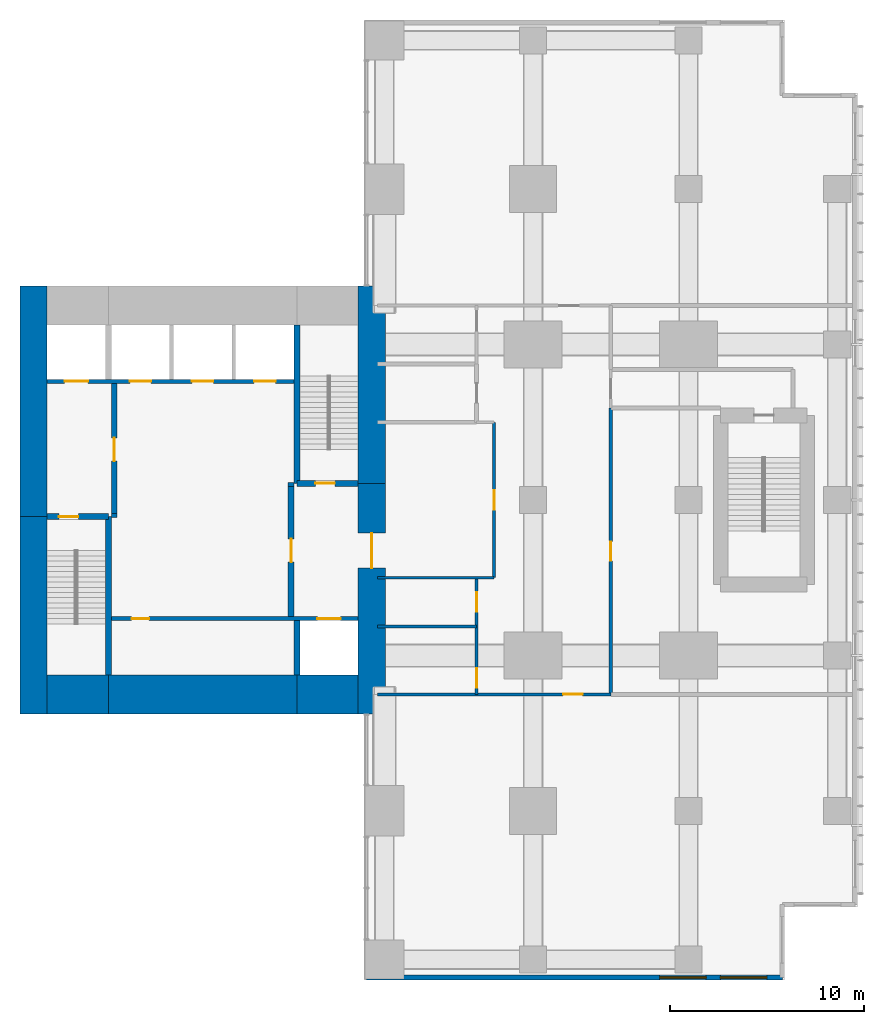
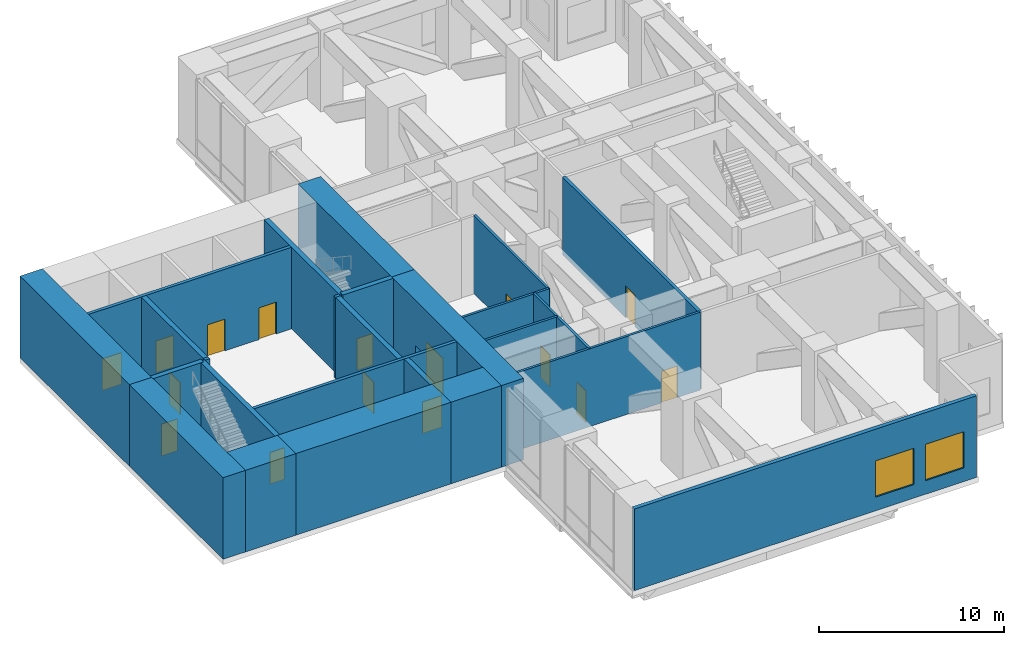
# One storey, part 7 of 10: 25 walls, 16 doors, 2 windows, 18 openings.
"""IFC4 building model written with IfcOpenShell, lengths in metres."""

import ifcopenshell
import ifcopenshell.guid

model = None  # the IFC model being written
_history = None  # IfcOwnerHistory: only IFC2X3 demands one
_inside = {}  # id of a spatial element -> (the spatial element, [elements in it])
_under = {}  # id of a project, library or spatial element -> (it, [spatial elements below it])
_declared = {}  # id of a project -> (the project, [libraries it declares])
_typed = {}  # id of a type object -> (the type object, [elements of that type])
_made_of = {}  # id of a material, layer set ... -> (it, [elements and type objects made of it])


def new_model(schema):
    """Start an empty IFC model of exactly this schema.

    Asked for "IFC4X3", IfcOpenShell would pick the latest addendum, in which some entities
    have other attributes; the version numbers below select the first issue.
    IFC2X3 requires an IfcOwnerHistory on every rooted entity: one is made here for all.
    """
    global model, _history
    if schema == "IFC4X3":
        model = ifcopenshell.file(schema_version=(4, 3, 0, 0))
    else:
        model = ifcopenshell.file(schema=schema)
    _inside.clear()
    _under.clear()
    _declared.clear()
    _typed.clear()
    _made_of.clear()
    _history = None
    if model.schema == "IFC2X3":
        org = make("IfcOrganization", Name="unknown")
        user = make(
            "IfcPersonAndOrganization",
            ThePerson=make("IfcPerson", FamilyName="unknown"),
            TheOrganization=org,
        )
        app = make(
            "IfcApplication",
            ApplicationDeveloper=org,
            Version="unknown",
            ApplicationFullName="unknown",
            ApplicationIdentifier="unknown",
        )
        _history = make(
            "IfcOwnerHistory",
            OwningUser=user,
            OwningApplication=app,
            ChangeAction="ADDED",
            CreationDate=0,
        )
    return model


def make(cls, **values):
    """One entity of the class cls with the attributes given. An attribute that is None is left unset."""
    return model.create_entity(
        cls, **{name: value for name, value in values.items() if value is not None}
    )


def rooted(cls, **values):
    """An entity with a GlobalId (a new one), such as an element, a storey or a relation."""
    return make(cls, GlobalId=ifcopenshell.guid.new(), OwnerHistory=_history, **values)


def si_unit(unit_type, name, prefix=None):
    """IfcSIUnit, for example si_unit("LENGTHUNIT", "METRE", prefix="MILLI")."""
    return make("IfcSIUnit", UnitType=unit_type, Prefix=prefix, Name=name)


def assignment(units):
    """IfcUnitAssignment: the units of a project."""
    return None if units is None else make("IfcUnitAssignment", Units=units)


def point(xyz):
    """IfcCartesianPoint."""
    return None if xyz is None else make("IfcCartesianPoint", Coordinates=xyz)


def direction(xyz):
    """IfcDirection."""
    return None if xyz is None else make("IfcDirection", DirectionRatios=xyz)


def frame(location, z_axis=None, x_axis=None):
    """IfcAxis2Placement3D, a coordinate frame: its origin and axes. An axis left out is left unset."""
    return make(
        "IfcAxis2Placement3D",
        Location=point(location),
        Axis=direction(z_axis),
        RefDirection=direction(x_axis),
    )


def frame_2d(location, x_axis=None):
    """IfcAxis2Placement2D, a coordinate frame in the plane: its origin and x axis."""
    return make(
        "IfcAxis2Placement2D", Location=point(location), RefDirection=direction(x_axis)
    )


def origin():
    """The frame at (0, 0, 0) with its axes left unset."""
    return frame((0.0, 0.0, 0.0))


def place(relative_to, where):
    """IfcLocalPlacement: puts the frame where relative to a parent placement (None: the world)."""
    return make(
        "IfcLocalPlacement", PlacementRelTo=relative_to, RelativePlacement=where
    )


def context(
    kind, dimensions, precision=None, world=None, true_north=None, identifier=None
):
    """IfcGeometricRepresentationContext, for example the 3D "Model" context."""
    return make(
        "IfcGeometricRepresentationContext",
        ContextIdentifier=identifier,
        ContextType=kind,
        CoordinateSpaceDimension=dimensions,
        Precision=precision,
        WorldCoordinateSystem=world,
        TrueNorth=true_north,
    )


def subcontext(parent, identifier, kind, view, scale=None):
    """IfcGeometricRepresentationSubContext, for example "Body" below "Model"."""
    return make(
        "IfcGeometricRepresentationSubContext",
        ContextIdentifier=identifier,
        ContextType=kind,
        ParentContext=parent,
        TargetScale=scale,
        TargetView=view,
    )


def project(units=None, contexts=None):
    """IfcProject with its units and contexts."""
    return rooted(
        "IfcProject",
        Name="project",
        RepresentationContexts=contexts,
        UnitsInContext=assignment(units),
    )


def spatial(cls, under=None, at=None, **own):
    """A site, building, storey or space (cls), placed at a placement, below another one or the project."""
    s = rooted(cls, ObjectPlacement=at, **own)
    if under is not None:
        _under.setdefault(under.id(), (under, []))[1].append(s)
    return s


def profile(cls, at=None, kind="AREA", **sizes):
    """A parametric profile (cls). Its sizes go by their IFC names, for example OverallWidth=200.0."""
    return make(cls, ProfileType=kind, Position=at, **sizes)


def rectangle(**sizes):
    """IfcRectangleProfileDef."""
    return profile("IfcRectangleProfileDef", **sizes)


def extrude(swept, where, along, depth):
    """IfcExtrudedAreaSolid: the profile swept, set in the frame where, extruded along a direction by depth."""
    return make(
        "IfcExtrudedAreaSolid",
        SweptArea=swept,
        Position=where,
        ExtrudedDirection=direction(along),
        Depth=depth,
    )


def shape(context_of_items, identifier, shape_type, items):
    """IfcShapeRepresentation: the items that make up one representation, for example the "Body"."""
    return make(
        "IfcShapeRepresentation",
        ContextOfItems=context_of_items,
        RepresentationIdentifier=identifier,
        RepresentationType=shape_type,
        Items=items,
    )


def material(Name=None, Category=None):
    """IfcMaterial."""
    return make("IfcMaterial", Name=Name, Category=Category)


def layer(
    of_material, thickness, ventilated=None, Name=None, Category=None, Priority=None
):
    """IfcMaterialLayer: one layer of a wall or slab, of a material (None: an air gap)."""
    return make(
        "IfcMaterialLayer",
        Material=of_material,
        LayerThickness=thickness,
        IsVentilated=ventilated,
        Name=Name,
        Category=Category,
        Priority=Priority,
    )


def layer_set(layers, Name=None):
    """IfcMaterialLayerSet."""
    return make("IfcMaterialLayerSet", MaterialLayers=layers, LayerSetName=Name)


def made_of(thing, what):
    """Note that an element or type object is made of a material, layer set ...; save() writes the relation."""
    if what is not None:
        _made_of.setdefault(what.id(), (what, []))[1].append(thing)
    return thing


def type_object(cls, material=None, **own):
    """A type object (cls), such as IfcWallType, which elements share."""
    return made_of(rooted(cls, **own), material)


def element(
    cls,
    number,
    at=None,
    inside=None,
    cuts=None,
    type_object=None,
    material=None,
    context=None,
    identifier="Body",
    shape_type=None,
    held_by="IfcProductDefinitionShape",
    body=None,
    shapes=None,
    **own,
):
    """One element of the class cls, such as IfcWall. Its Tag is "e" and its number.

    at: its placement. inside: the storey or other place that contains it. cuts: it is an
    opening in that element (IfcRelVoidsElement). A single representation is given by context,
    identifier, shape_type and body (its items); several are given by shapes. held_by: the class
    of the entity that holds the representations. save() writes the other relations.
    """
    e = rooted(cls, Tag="e%d" % number, ObjectPlacement=at, **own)
    if body is not None:
        shapes = [shape(context, identifier, shape_type, body)]
    if shapes is not None:
        e.Representation = make(held_by, Representations=shapes)
    if inside is not None:
        _inside.setdefault(inside.id(), (inside, []))[1].append(e)
    if cuts is not None:
        rooted(
            "IfcRelVoidsElement", RelatingBuildingElement=cuts, RelatedOpeningElement=e
        )
    if type_object is not None:
        _typed.setdefault(type_object.id(), (type_object, []))[1].append(e)
    return made_of(e, material)


def fill(opening, filler):
    """IfcRelFillsElement: the door or window that sits in an opening."""
    return rooted(
        "IfcRelFillsElement",
        RelatingOpeningElement=opening,
        RelatedBuildingElement=filler,
    )


def aggregate(whole, parts):
    """IfcRelAggregates: a whole, such as a stair, and the parts it consists of."""
    return rooted("IfcRelAggregates", RelatingObject=whole, RelatedObjects=parts)


def save(model, path):
    """Write the relations noted so far, then the file.

    IfcRelAggregates (storeys below a building ...), IfcRelContainedInSpatialStructure (elements
    in a storey), IfcRelDefinesByType, IfcRelAssociatesMaterial and IfcRelDeclares: one each for
    every whole, place, type object, material and project.
    """
    for whole, parts in _under.values():
        aggregate(whole, parts)
    for where, things in _inside.values():
        rooted(
            "IfcRelContainedInSpatialStructure",
            RelatedElements=things,
            RelatingStructure=where,
        )
    for kind, things in _typed.values():
        rooted("IfcRelDefinesByType", RelatedObjects=things, RelatingType=kind)
    for what, things in _made_of.values():
        rooted("IfcRelAssociatesMaterial", RelatedObjects=things, RelatingMaterial=what)
    for by, libraries in _declared.values():
        rooted("IfcRelDeclares", RelatingContext=by, RelatedDefinitions=libraries)
    model.write(path)


model = new_model("IFC4")

# Units and contexts
model_context = context("Model", 3, precision=1e-05, world=origin(), true_north=direction((0.0, 1.0)))
body_context = subcontext(model_context, "Body", "Model", "MODEL_VIEW")
ifc_project = project(units=[si_unit("LENGTHUNIT", "METRE"), si_unit("AREAUNIT", "SQUARE_METRE"), si_unit("VOLUMEUNIT", "CUBIC_METRE"), si_unit("PLANEANGLEUNIT", "RADIAN"), si_unit("MASSUNIT", "GRAM", prefix="KILO")], contexts=[model_context])

# Site, building, storey
site_placement = place(None, origin())
site = spatial("IfcSite", under=ifc_project, at=site_placement, CompositionType="ELEMENT")
building_placement = place(site_placement, origin())
building = spatial("IfcBuilding", under=site, at=building_placement, Name="Cleftline Residences", CompositionType="ELEMENT")
storey_placement = place(building_placement, frame((0.0, 0.0, 277.199951171875)))
storey = spatial("IfcBuildingStorey", under=building, at=storey_placement, Name="L73", CompositionType="ELEMENT", Elevation=277.199951171875)

# Walls
ifc_material_1 = material(Name="Concrete B70", Category="concrete")
ifc_layer_1 = layer(ifc_material_1, 1.39990234375)
ifc_layer_set_1 = layer_set([ifc_layer_1], Name="CORE WALL 1400")
wall_type_1 = type_object("IfcWallType", Name="CORE WALL 1400", PredefinedType="SHEAR", material=ifc_layer_set_1)
wall_1_placement = place(storey_placement, frame((24.300048828125, 13.0, 0.0), z_axis=(0.0, 0.0, 1.0), x_axis=(0.0, 1.0, 0.0)))
element("IfcWall", 1, at=wall_1_placement, inside=storey, type_object=wall_type_1, Name="Core wall W0", PredefinedType="SHEAR", context=body_context, shape_type="SweptSolid", body=[
    extrude(rectangle(XDim=10.14990234375, YDim=1.39990234375, at=frame_2d((5.074951171875, 0.0))), origin(), (0.0, 0.0, 1.0), 5.400146484375),
])
wall_2_placement = place(storey_placement, frame((24.300048828125, 23.14990234375, 0.0), z_axis=(0.0, 0.0, 1.0), x_axis=(0.0, 1.0, 0.0)))
element("IfcWall", 2, at=wall_2_placement, inside=storey, type_object=wall_type_1, Name="Core wall W", PredefinedType="SHEAR", context=body_context, shape_type="SweptSolid", body=[
    extrude(rectangle(XDim=11.85009765625, YDim=1.39990234375, at=frame_2d((5.925048828125, 0.0))), origin(), (0.0, 0.0, 1.0), 5.400146484375),
])

# Wall, opening, door
wall_3_placement = place(storey_placement, frame((41.699951171875, 13.0, 0.0), z_axis=(0.0, 0.0, 1.0), x_axis=(0.0, 1.0, 0.0)))
wall_3 = element("IfcWall", 3, at=wall_3_placement, inside=storey, type_object=wall_type_1, Name="Core wall E", PredefinedType="SHEAR", context=body_context, shape_type="SweptSolid", body=[
    extrude(rectangle(XDim=11.85009765625, YDim=1.39990234375, at=frame_2d((5.925048828125, 0.0))), origin(), (0.0, 0.0, 1.0), 5.400146484375),
])
opening_1_placement = place(wall_3_placement, frame((7.5, 0.0, 0.0)))
opening_1 = element("IfcOpeningElement", 4, at=opening_1_placement, cuts=wall_3, Name="Opening D7", PredefinedType="OPENING", context=body_context, shape_type="SweptSolid", body=[
    extrude(rectangle(XDim=1.800048828125, YDim=2.39990234375, at=frame_2d((0.89990234375, 1.199951171875))), frame((0.0, 0.7099609375, 0.0), z_axis=(0.0, -1.0, 0.0), x_axis=(1.0, 0.0, 0.0)), (0.0, 0.0, 1.0), 1.419921875),
])
ifc_material_2 = material(Name="Steel", Category="steel")
door_type_1 = type_object("IfcDoorType", Name="WING DOOR 1800X2400", OperationType="DOUBLE_DOOR_DOUBLE_SWING", PredefinedType="DOOR", material=ifc_material_2)
door_1_placement = place(opening_1_placement, origin())
door_1 = element("IfcDoor", 5, at=door_1_placement, inside=storey, type_object=door_type_1, Name="East wing door", OperationType="DOUBLE_DOOR_DOUBLE_SWING", OverallHeight=2.39990234375, OverallWidth=1.800048828125, PredefinedType="DOOR", context=body_context, shape_type="SweptSolid", body=[
    extrude(rectangle(XDim=1.800048828125, YDim=2.39990234375, at=frame_2d((0.89990234375, 1.199951171875))), frame((0.0, 0.02490234375, 0.0), z_axis=(0.0, -1.0, 0.0), x_axis=(1.0, 0.0, 0.0)), (0.0, 0.0, 1.0), 0.050048828125),
])
fill(opening_1, door_1)

# Walls
wall_4_placement = place(storey_placement, frame((41.699951171875, 24.85009765625, 0.0), z_axis=(0.0, 0.0, 1.0), x_axis=(0.0, 1.0, 0.0)))
element("IfcWall", 6, at=wall_4_placement, inside=storey, type_object=wall_type_1, Name="Core wall E1", PredefinedType="SHEAR", context=body_context, shape_type="SweptSolid", body=[
    extrude(rectangle(XDim=10.14990234375, YDim=1.39990234375, at=frame_2d((5.074951171875, 0.0))), origin(), (0.0, 0.0, 1.0), 5.400146484375),
])
ifc_material_3 = material(Name="Concrete B70", Category="concrete")
ifc_layer_2 = layer(ifc_material_3, 2.0)
ifc_layer_set_2 = layer_set([ifc_layer_2], Name="CORE WALL 2000")
wall_type_2 = type_object("IfcWallType", Name="CORE WALL 2000", PredefinedType="SHEAR", material=ifc_layer_set_2)
wall_5_placement = place(storey_placement, frame((25.0, 14.0, 0.0), z_axis=(0.0, 0.0, 1.0), x_axis=(1.0, 0.0, 0.0)))
element("IfcWall", 7, at=wall_5_placement, inside=storey, type_object=wall_type_2, Name="Core wall S1", PredefinedType="SHEAR", context=body_context, shape_type="SweptSolid", body=[
    extrude(rectangle(XDim=3.14990234375, YDim=2.0, at=frame_2d((1.574951171875, 0.0))), origin(), (0.0, 0.0, 1.0), 5.400146484375),
])
wall_6_placement = place(storey_placement, frame((28.14990234375, 14.0, 0.0), z_axis=(0.0, 0.0, 1.0), x_axis=(1.0, 0.0, 0.0)))
element("IfcWall", 8, at=wall_6_placement, inside=storey, type_object=wall_type_2, Name="Core wall S2", PredefinedType="SHEAR", context=body_context, shape_type="SweptSolid", body=[
    extrude(rectangle(XDim=9.7001953125, YDim=2.0, at=frame_2d((4.85009765625, 0.0))), origin(), (0.0, 0.0, 1.0), 5.400146484375),
])
wall_7_placement = place(storey_placement, frame((37.85009765625, 14.0, 0.0), z_axis=(0.0, 0.0, 1.0), x_axis=(1.0, 0.0, 0.0)))
element("IfcWall", 9, at=wall_7_placement, inside=storey, type_object=wall_type_2, Name="Core wall S3", PredefinedType="SHEAR", context=body_context, shape_type="SweptSolid", body=[
    extrude(rectangle(XDim=3.14990234375, YDim=2.0, at=frame_2d((1.574951171875, 0.0))), origin(), (0.0, 0.0, 1.0), 5.400146484375),
])
ifc_material_4 = material(Name="Concrete B70", Category="concrete")
ifc_layer_3 = layer(ifc_material_4, 0.300048828125)
ifc_layer_set_3 = layer_set([ifc_layer_3], Name="CORE WALL 300")
wall_type_3 = type_object("IfcWallType", Name="CORE WALL 300", PredefinedType="SHEAR", material=ifc_layer_set_3)
wall_8_placement = place(storey_placement, frame((28.14990234375, 15.0, 0.0), z_axis=(0.0, 0.0, 1.0), x_axis=(0.0, 1.0, 0.0)))
element("IfcWall", 10, at=wall_8_placement, inside=storey, type_object=wall_type_3, Name="Core wall SA-E", PredefinedType="SHEAR", context=body_context, shape_type="SweptSolid", body=[
    extrude(rectangle(XDim=8.14990234375, YDim=0.300048828125, at=frame_2d((4.074951171875, 0.0))), origin(), (0.0, 0.0, 1.0), 5.400146484375),
])

# Wall, opening, door
wall_9_placement = place(storey_placement, frame((25.0, 23.14990234375, 0.0), z_axis=(0.0, 0.0, 1.0), x_axis=(1.0, 0.0, 0.0)))
wall_9 = element("IfcWall", 11, at=wall_9_placement, inside=storey, type_object=wall_type_3, Name="Core wall SA-N", PredefinedType="SHEAR", context=body_context, shape_type="SweptSolid", body=[
    extrude(rectangle(XDim=3.14990234375, YDim=0.300048828125, at=frame_2d((1.574951171875, 0.0))), origin(), (0.0, 0.0, 1.0), 5.400146484375),
])
opening_2_placement = place(wall_9_placement, frame((0.60009765625, 0.0, 0.0)))
opening_2 = element("IfcOpeningElement", 12, at=opening_2_placement, cuts=wall_9, Name="Opening D5", PredefinedType="OPENING", context=body_context, shape_type="SweptSolid", body=[
    extrude(rectangle(XDim=1.0, YDim=2.10009765625, at=frame_2d((0.5, 1.050048828125))), frame((0.0, 0.159912109375, 0.0), z_axis=(0.0, -1.0, 0.0), x_axis=(1.0, 0.0, 0.0)), (0.0, 0.0, 1.0), 0.320068359375),
])
ifc_material_5 = material(Name="Steel", Category="steel")
door_type_2 = type_object("IfcDoorType", Name="STAIR DOOR 1000X2100", OperationType="SINGLE_SWING_LEFT", PredefinedType="DOOR", material=ifc_material_5)
door_2_placement = place(opening_2_placement, origin())
door_2 = element("IfcDoor", 13, at=door_2_placement, inside=storey, type_object=door_type_2, Name="Stair A door", OperationType="SINGLE_SWING_RIGHT", OverallHeight=2.10009765625, OverallWidth=1.0, PredefinedType="DOOR", context=body_context, shape_type="SweptSolid", body=[
    extrude(rectangle(XDim=1.0, YDim=2.10009765625, at=frame_2d((0.5, 1.050048828125))), frame((0.0, 0.02490234375, 0.0), z_axis=(0.0, -1.0, 0.0), x_axis=(1.0, 0.0, 0.0)), (0.0, 0.0, 1.0), 0.050048828125),
])
fill(opening_2, door_2)

# Wall
wall_10_placement = place(storey_placement, frame((37.85009765625, 24.85009765625, 0.0), z_axis=(0.0, 0.0, 1.0), x_axis=(0.0, 1.0, 0.0)))
element("IfcWall", 14, at=wall_10_placement, inside=storey, type_object=wall_type_3, Name="Core wall SB-W", PredefinedType="SHEAR", context=body_context, shape_type="SweptSolid", body=[
    extrude(rectangle(XDim=8.14990234375, YDim=0.300048828125, at=frame_2d((4.074951171875, 0.0))), origin(), (0.0, 0.0, 1.0), 5.400146484375),
])

# Wall, opening, door
wall_11_placement = place(storey_placement, frame((37.85009765625, 24.85009765625, 0.0), z_axis=(0.0, 0.0, 1.0), x_axis=(1.0, 0.0, 0.0)))
wall_11 = element("IfcWall", 15, at=wall_11_placement, inside=storey, type_object=wall_type_3, Name="Core wall SB-S", PredefinedType="SHEAR", context=body_context, shape_type="SweptSolid", body=[
    extrude(rectangle(XDim=3.14990234375, YDim=0.300048828125, at=frame_2d((1.574951171875, 0.0))), origin(), (0.0, 0.0, 1.0), 5.400146484375),
])
opening_3_placement = place(wall_11_placement, frame((0.949951171875, 0.0, 0.0)))
opening_3 = element("IfcOpeningElement", 16, at=opening_3_placement, cuts=wall_11, Name="Opening D5", PredefinedType="OPENING", context=body_context, shape_type="SweptSolid", body=[
    extrude(rectangle(XDim=1.0, YDim=2.10009765625, at=frame_2d((0.5, 1.050048828125))), frame((0.0, 0.159912109375, 0.0), z_axis=(0.0, -1.0, 0.0), x_axis=(1.0, 0.0, 0.0)), (0.0, 0.0, 1.0), 0.320068359375),
])
door_3_placement = place(opening_3_placement, origin())
door_3 = element("IfcDoor", 17, at=door_3_placement, inside=storey, type_object=door_type_2, Name="Stair B door", OperationType="SINGLE_SWING_RIGHT", OverallHeight=2.10009765625, OverallWidth=1.0, PredefinedType="DOOR", context=body_context, shape_type="SweptSolid", body=[
    extrude(rectangle(XDim=1.0, YDim=2.10009765625, at=frame_2d((0.5, 1.050048828125))), frame((0.0, 0.02490234375, 0.0), z_axis=(0.0, -1.0, 0.0), x_axis=(1.0, 0.0, 0.0)), (0.0, 0.0, 1.0), 0.050048828125),
])
fill(opening_3, door_3)

# Wall
wall_12_placement = place(storey_placement, frame((37.85009765625, 15.0, 0.0), z_axis=(0.0, 0.0, 1.0), x_axis=(0.0, 1.0, 0.0)))
element("IfcWall", 18, at=wall_12_placement, inside=storey, type_object=wall_type_3, Name="Lift shaft wall", PredefinedType="SHEAR", context=body_context, shape_type="SweptSolid", body=[
    extrude(rectangle(XDim=2.800048828125, YDim=0.300048828125, at=frame_2d((1.39990234375, 0.0))), origin(), (0.0, 0.0, 1.0), 5.400146484375),
])

# Wall, openings, windows
ifc_material_6 = material(Name="Rendered reinforced concrete blockwork", Category="masonry")
ifc_layer_4 = layer(ifc_material_6, 0.25)
ifc_layer_set_4 = layer_set([ifc_layer_4], Name="EXTERNAL WALL 250")
wall_type_4 = type_object("IfcWallType", Name="EXTERNAL WALL 250", PredefinedType="SOLIDWALL", material=ifc_layer_set_4)
wall_13_placement = place(storey_placement, frame((41.425048828125, -0.574951171875, 0.0), z_axis=(0.0, 0.0, 1.0), x_axis=(1.0, 0.0, 0.0)))
wall_13 = element("IfcWall", 19, at=wall_13_placement, inside=storey, type_object=wall_type_4, Name="External wall", PredefinedType="SOLIDWALL", context=body_context, shape_type="SweptSolid", body=[
    extrude(rectangle(XDim=21.39990234375, YDim=0.25, at=frame_2d((10.699951171875, 0.0))), origin(), (0.0, 0.0, 1.0), 5.400146484375),
])
opening_4_placement = place(wall_13_placement, frame((15.08740234375, 0.0, 0.89990234375)))
opening_4 = element("IfcOpeningElement", 20, at=opening_4_placement, cuts=wall_13, Name="Opening W9", PredefinedType="OPENING", context=body_context, shape_type="SweptSolid", body=[
    extrude(rectangle(XDim=2.39990234375, YDim=2.39990234375, at=frame_2d((1.199951171875, 1.199951171875))), frame((0.0, 0.135009765625, 0.0), z_axis=(0.0, -1.0, 0.0), x_axis=(1.0, 0.0, 0.0)), (0.0, 0.0, 1.0), 0.27001953125),
])
opening_5_placement = place(wall_13_placement, frame((18.21240234375, 0.0, 0.89990234375)))
opening_5 = element("IfcOpeningElement", 21, at=opening_5_placement, cuts=wall_13, Name="Opening W9", PredefinedType="OPENING", context=body_context, shape_type="SweptSolid", body=[
    extrude(rectangle(XDim=2.39990234375, YDim=2.39990234375, at=frame_2d((1.199951171875, 1.199951171875))), frame((0.0, 0.135009765625, 0.0), z_axis=(0.0, -1.0, 0.0), x_axis=(1.0, 0.0, 0.0)), (0.0, 0.0, 1.0), 0.27001953125),
])
ifc_material_7 = material(Name="Aluminium frame, clear double glazing", Category="aluminium")
window_type = type_object("IfcWindowType", Name="WINDOW 2400X2400", PartitioningType="DOUBLE_PANEL_VERTICAL", PredefinedType="WINDOW", material=ifc_material_7)
window_1_placement = place(opening_4_placement, origin())
window_1 = element("IfcWindow", 22, at=window_1_placement, inside=storey, type_object=window_type, Name="Window", OverallHeight=2.39990234375, OverallWidth=2.39990234375, PartitioningType="SINGLE_PANEL", PredefinedType="WINDOW", context=body_context, shape_type="SweptSolid", body=[
    extrude(rectangle(XDim=2.39990234375, YDim=2.39990234375, at=frame_2d((1.199951171875, 1.199951171875))), frame((0.0, 0.030029296875, 0.0), z_axis=(0.0, -1.0, 0.0), x_axis=(1.0, 0.0, 0.0)), (0.0, 0.0, 1.0), 0.06005859375),
])
fill(opening_4, window_1)
window_2_placement = place(opening_5_placement, origin())
window_2 = element("IfcWindow", 23, at=window_2_placement, inside=storey, type_object=window_type, Name="Window", OverallHeight=2.39990234375, OverallWidth=2.39990234375, PartitioningType="SINGLE_PANEL", PredefinedType="WINDOW", context=body_context, shape_type="SweptSolid", body=[
    extrude(rectangle(XDim=2.39990234375, YDim=2.39990234375, at=frame_2d((1.199951171875, 1.199951171875))), frame((0.0, 0.030029296875, 0.0), z_axis=(0.0, -1.0, 0.0), x_axis=(1.0, 0.0, 0.0)), (0.0, 0.0, 1.0), 0.06005859375),
])
fill(opening_5, window_2)

# Wall, opening, door
ifc_material_8 = material(Name="Concrete blockwork, fire rated", Category="masonry")
ifc_layer_5 = layer(ifc_material_8, 0.199951171875)
ifc_layer_set_5 = layer_set([ifc_layer_5], Name="FIRE WALL 200")
wall_type_5 = type_object("IfcWallType", Name="FIRE WALL 200", PredefinedType="PARTITIONING", material=ifc_layer_set_5)
wall_14_placement = place(storey_placement, frame((54.0, 14.0, 0.0), z_axis=(0.0, 0.0, 1.0), x_axis=(0.0, 1.0, 0.0)))
wall_14 = element("IfcWall", 24, at=wall_14_placement, inside=storey, type_object=wall_type_5, Name="Fire separating wall", PredefinedType="PARTITIONING", context=body_context, shape_type="SweptSolid", body=[
    extrude(rectangle(XDim=14.72509765625, YDim=0.199951171875, at=frame_2d((7.362548828125, 0.0))), origin(), (0.0, 0.0, 1.0), 5.150146484375),
])
opening_6_placement = place(wall_14_placement, frame((6.862548828125, 0.0, 0.0)))
opening_6 = element("IfcOpeningElement", 25, at=opening_6_placement, cuts=wall_14, Name="Opening D2F60", PredefinedType="OPENING", context=body_context, shape_type="SweptSolid", body=[
    extrude(rectangle(XDim=1.0, YDim=2.10009765625, at=frame_2d((0.5, 1.050048828125))), frame((0.0, 0.10986328125, 0.0), z_axis=(0.0, -1.0, 0.0), x_axis=(1.0, 0.0, 0.0)), (0.0, 0.0, 1.0), 0.219970703125),
])
ifc_material_9 = material(Name="Timber veneer on solid core", Category="wood")
door_type_3 = type_object("IfcDoorType", Name="DOOR 1000X2100 EI 60", OperationType="SINGLE_SWING_LEFT", PredefinedType="DOOR", material=ifc_material_9)
door_4_placement = place(opening_6_placement, origin())
door_4 = element("IfcDoor", 26, at=door_4_placement, inside=storey, type_object=door_type_3, Name="Door to mechanical plant room", OperationType="SINGLE_SWING_LEFT", OverallHeight=2.10009765625, OverallWidth=1.0, PredefinedType="DOOR", context=body_context, shape_type="SweptSolid", body=[
    extrude(rectangle(XDim=1.0, YDim=2.10009765625, at=frame_2d((0.5, 1.050048828125))), frame((0.0, 0.02490234375, 0.0), z_axis=(0.0, -1.0, 0.0), x_axis=(1.0, 0.0, 0.0)), (0.0, 0.0, 1.0), 0.050048828125),
])
fill(opening_6, door_4)

# Walls
for number, where, z_axis, x_axis, name in (
    (27, (28.300048828125, 23.199951171875, 0.0), (0.0, 0.0, 1.0), (1.0, 0.0, 0.0), "Fire separating wall"),
    (28, (37.39990234375, 24.800048828125, 0.0), (0.0, 0.0, 1.0), (1.0, 0.0, 0.0), "Fire separating wall"),
):
    element("IfcWall", number, at=place(storey_placement, frame(where, z_axis=z_axis, x_axis=x_axis)), inside=storey, type_object=wall_type_5, Name=name, PredefinedType="PARTITIONING", context=body_context, shape_type="SweptSolid", body=[
        extrude(rectangle(XDim=0.300048828125, YDim=0.199951171875, at=frame_2d((0.14990234375, 0.0))), origin(), (0.0, 0.0, 1.0), 5.400146484375),
    ])

# Wall, opening, door
ifc_material_10 = material(Name="Gypsum board on steel studs", Category="steel")
ifc_layer_6 = layer(ifc_material_10, 0.14990234375)
ifc_layer_set_6 = layer_set([ifc_layer_6], Name="PARTITION 150")
wall_type_6 = type_object("IfcWallType", Name="PARTITION 150", PredefinedType="PARTITIONING", material=ifc_layer_set_6)
wall_15_placement = place(storey_placement, frame((42.0, 14.0, 0.0), z_axis=(0.0, 0.0, 1.0), x_axis=(1.0, 0.0, 0.0)))
wall_15 = element("IfcWall", 29, at=wall_15_placement, inside=storey, type_object=wall_type_6, Name="Partition", PredefinedType="PARTITIONING", context=body_context, shape_type="SweptSolid", body=[
    extrude(rectangle(XDim=12.0, YDim=0.14990234375, at=frame_2d((6.0, 0.0))), origin(), (0.0, 0.0, 1.0), 5.150146484375),
])
opening_7_placement = place(wall_15_placement, frame((9.550048828125, 0.0, 0.0)))
opening_7 = element("IfcOpeningElement", 30, at=opening_7_placement, cuts=wall_15, Name="Opening D2F60", PredefinedType="OPENING", context=body_context, shape_type="SweptSolid", body=[
    extrude(rectangle(XDim=1.0, YDim=2.10009765625, at=frame_2d((0.5, 1.050048828125))), frame((0.0, 0.0849609375, 0.0), z_axis=(0.0, -1.0, 0.0), x_axis=(1.0, 0.0, 0.0)), (0.0, 0.0, 1.0), 0.169921875),
])
door_5_placement = place(opening_7_placement, origin())
door_5 = element("IfcDoor", 31, at=door_5_placement, inside=storey, type_object=door_type_3, Name="Door to refuge area", OperationType="SINGLE_SWING_LEFT", OverallHeight=2.10009765625, OverallWidth=1.0, PredefinedType="DOOR", context=body_context, shape_type="SweptSolid", body=[
    extrude(rectangle(XDim=1.0, YDim=2.10009765625, at=frame_2d((0.5, 1.050048828125))), frame((0.0, 0.02490234375, 0.0), z_axis=(0.0, -1.0, 0.0), x_axis=(1.0, 0.0, 0.0)), (0.0, 0.0, 1.0), 0.050048828125),
])
fill(opening_7, door_5)

# Walls
wall_16_placement = place(storey_placement, frame((42.0, 17.5, 0.0), z_axis=(0.0, 0.0, 1.0), x_axis=(1.0, 0.0, 0.0)))
element("IfcWall", 32, at=wall_16_placement, inside=storey, type_object=wall_type_6, Name="Partition", PredefinedType="PARTITIONING", context=body_context, shape_type="SweptSolid", body=[
    extrude(rectangle(XDim=5.10009765625, YDim=0.14990234375, at=frame_2d((2.550048828125, 0.0))), origin(), (0.0, 0.0, 1.0), 5.150146484375),
])
wall_17_placement = place(storey_placement, frame((42.0, 20.0, 0.0), z_axis=(0.0, 0.0, 1.0), x_axis=(1.0, 0.0, 0.0)))
element("IfcWall", 33, at=wall_17_placement, inside=storey, type_object=wall_type_6, Name="Partition", PredefinedType="PARTITIONING", context=body_context, shape_type="SweptSolid", body=[
    extrude(rectangle(XDim=6.0, YDim=0.14990234375, at=frame_2d((3.0, 0.0))), origin(), (0.0, 0.0, 1.0), 5.150146484375),
])

# Wall, openings, doors
wall_18_placement = place(storey_placement, frame((47.10009765625, 14.0, 0.0), z_axis=(0.0, 0.0, 1.0), x_axis=(0.0, 1.0, 0.0)))
wall_18 = element("IfcWall", 34, at=wall_18_placement, inside=storey, type_object=wall_type_6, Name="Partition", PredefinedType="PARTITIONING", context=body_context, shape_type="SweptSolid", body=[
    extrude(rectangle(XDim=6.0, YDim=0.14990234375, at=frame_2d((3.0, 0.0))), origin(), (0.0, 0.0, 1.0), 5.150146484375),
])
opening_8_placement = place(wall_18_placement, frame((0.35009765625, 0.0, 0.0)))
opening_8 = element("IfcOpeningElement", 35, at=opening_8_placement, cuts=wall_18, Name="Opening D2F60", PredefinedType="OPENING", context=body_context, shape_type="SweptSolid", body=[
    extrude(rectangle(XDim=1.0, YDim=2.10009765625, at=frame_2d((0.5, 1.050048828125))), frame((0.0, 0.0849609375, 0.0), z_axis=(0.0, -1.0, 0.0), x_axis=(1.0, 0.0, 0.0)), (0.0, 0.0, 1.0), 0.169921875),
])
opening_9_placement = place(wall_18_placement, frame((4.25, 0.0, 0.0)))
opening_9 = element("IfcOpeningElement", 36, at=opening_9_placement, cuts=wall_18, Name="Opening D2F60", PredefinedType="OPENING", context=body_context, shape_type="SweptSolid", body=[
    extrude(rectangle(XDim=1.0, YDim=2.10009765625, at=frame_2d((0.5, 1.050048828125))), frame((0.0, 0.0849609375, 0.0), z_axis=(0.0, -1.0, 0.0), x_axis=(1.0, 0.0, 0.0)), (0.0, 0.0, 1.0), 0.169921875),
])
door_6_placement = place(opening_8_placement, origin())
door_6 = element("IfcDoor", 37, at=door_6_placement, inside=storey, type_object=door_type_3, Name="Door to electrical room", OperationType="SINGLE_SWING_RIGHT", OverallHeight=2.10009765625, OverallWidth=1.0, PredefinedType="DOOR", context=body_context, shape_type="SweptSolid", body=[
    extrude(rectangle(XDim=1.0, YDim=2.10009765625, at=frame_2d((0.5, 1.050048828125))), frame((0.0, 0.02490234375, 0.0), z_axis=(0.0, -1.0, 0.0), x_axis=(1.0, 0.0, 0.0)), (0.0, 0.0, 1.0), 0.050048828125),
])
fill(opening_8, door_6)
door_7_placement = place(opening_9_placement, origin())
door_7 = element("IfcDoor", 38, at=door_7_placement, inside=storey, type_object=door_type_3, Name="Door to fire pump room", OperationType="SINGLE_SWING_LEFT", OverallHeight=2.10009765625, OverallWidth=1.0, PredefinedType="DOOR", context=body_context, shape_type="SweptSolid", body=[
    extrude(rectangle(XDim=1.0, YDim=2.10009765625, at=frame_2d((0.5, 1.050048828125))), frame((0.0, 0.02490234375, 0.0), z_axis=(0.0, -1.0, 0.0), x_axis=(1.0, 0.0, 0.0)), (0.0, 0.0, 1.0), 0.050048828125),
])
fill(opening_9, door_7)

# Wall, opening, door
wall_19_placement = place(storey_placement, frame((48.0, 20.0, 0.0), z_axis=(0.0, 0.0, 1.0), x_axis=(0.0, 1.0, 0.0)))
wall_19 = element("IfcWall", 39, at=wall_19_placement, inside=storey, type_object=wall_type_6, Name="Partition", PredefinedType="PARTITIONING", context=body_context, shape_type="SweptSolid", body=[
    extrude(rectangle(XDim=8.0, YDim=0.14990234375, at=frame_2d((4.0, 0.0))), origin(), (0.0, 0.0, 1.0), 5.150146484375),
])
opening_10_placement = place(wall_19_placement, frame((3.5, 0.0, 0.0)))
opening_10 = element("IfcOpeningElement", 40, at=opening_10_placement, cuts=wall_19, Name="Opening D2F30", PredefinedType="OPENING", context=body_context, shape_type="SweptSolid", body=[
    extrude(rectangle(XDim=1.0, YDim=2.10009765625, at=frame_2d((0.5, 1.050048828125))), frame((0.0, 0.0849609375, 0.0), z_axis=(0.0, -1.0, 0.0), x_axis=(1.0, 0.0, 0.0)), (0.0, 0.0, 1.0), 0.169921875),
])
ifc_material_11 = material(Name="Timber veneer on solid core", Category="wood")
door_type_4 = type_object("IfcDoorType", Name="DOOR 1000X2100 EI 30", OperationType="SINGLE_SWING_LEFT", PredefinedType="DOOR", material=ifc_material_11)
door_8_placement = place(opening_10_placement, origin())
door_8 = element("IfcDoor", 41, at=door_8_placement, inside=storey, type_object=door_type_4, Name="Door to corridor", OperationType="SINGLE_SWING_LEFT", OverallHeight=2.10009765625, OverallWidth=1.0, PredefinedType="DOOR", context=body_context, shape_type="SweptSolid", body=[
    extrude(rectangle(XDim=1.0, YDim=2.10009765625, at=frame_2d((0.5, 1.050048828125))), frame((0.0, 0.02490234375, 0.0), z_axis=(0.0, -1.0, 0.0), x_axis=(1.0, 0.0, 0.0)), (0.0, 0.0, 1.0), 0.050048828125),
])
fill(opening_10, door_8)

# Wall, openings, doors
ifc_material_12 = material(Name="Concrete blockwork, fire rated", Category="masonry")
ifc_layer_7 = layer(ifc_material_12, 0.199951171875)
ifc_layer_set_7 = layer_set([ifc_layer_7], Name="SHAFT WALL 200")
wall_type_7 = type_object("IfcWallType", Name="SHAFT WALL 200", PredefinedType="PARTITIONING", material=ifc_layer_set_7)
wall_20_placement = place(storey_placement, frame((28.300048828125, 17.89990234375, 0.0), z_axis=(0.0, 0.0, 1.0), x_axis=(1.0, 0.0, 0.0)))
wall_20 = element("IfcWall", 42, at=wall_20_placement, inside=storey, type_object=wall_type_7, Name="Core room wall", PredefinedType="PARTITIONING", context=body_context, shape_type="SweptSolid", body=[
    extrude(rectangle(XDim=12.699951171875, YDim=0.199951171875, at=frame_2d((6.35009765625, 0.0))), origin(), (0.0, 0.0, 1.0), 5.400146484375),
])
opening_11_placement = place(wall_20_placement, frame((1.050048828125, 0.0, 0.0)))
opening_11 = element("IfcOpeningElement", 43, at=opening_11_placement, cuts=wall_20, Name="Opening D1F30", PredefinedType="OPENING", context=body_context, shape_type="SweptSolid", body=[
    extrude(rectangle(XDim=0.89990234375, YDim=2.10009765625, at=frame_2d((0.449951171875, 1.050048828125))), frame((0.0, 0.10986328125, 0.0), z_axis=(0.0, -1.0, 0.0), x_axis=(1.0, 0.0, 0.0)), (0.0, 0.0, 1.0), 0.219970703125),
])
opening_12_placement = place(wall_20_placement, frame((10.60009765625, 0.0, 0.0)))
opening_12 = element("IfcOpeningElement", 44, at=opening_12_placement, cuts=wall_20, Name="Opening LD2", PredefinedType="OPENING", context=body_context, shape_type="SweptSolid", body=[
    extrude(rectangle(XDim=1.199951171875, YDim=2.10009765625, at=frame_2d((0.60009765625, 1.050048828125))), frame((0.0, 0.10986328125, 0.0), z_axis=(0.0, -1.0, 0.0), x_axis=(1.0, 0.0, 0.0)), (0.0, 0.0, 1.0), 0.219970703125),
])
ifc_material_13 = material(Name="Timber veneer on solid core", Category="wood")
door_type_5 = type_object("IfcDoorType", Name="DOOR 900X2100 EI 30", OperationType="SINGLE_SWING_LEFT", PredefinedType="DOOR", material=ifc_material_13)
door_9_placement = place(opening_11_placement, origin())
door_9 = element("IfcDoor", 45, at=door_9_placement, inside=storey, type_object=door_type_5, Name="Door to maintenance store", OperationType="SINGLE_SWING_RIGHT", OverallHeight=2.10009765625, OverallWidth=0.89990234375, PredefinedType="DOOR", context=body_context, shape_type="SweptSolid", body=[
    extrude(rectangle(XDim=0.89990234375, YDim=2.10009765625, at=frame_2d((0.449951171875, 1.050048828125))), frame((0.0, 0.02490234375, 0.0), z_axis=(0.0, -1.0, 0.0), x_axis=(1.0, 0.0, 0.0)), (0.0, 0.0, 1.0), 0.050048828125),
])
fill(opening_11, door_9)
ifc_material_14 = material(Name="Steel", Category="steel")
door_type_6 = type_object("IfcDoorType", Name="FIREFIGHTING LIFT LANDING DOOR 1200X2100", OperationType="SLIDING_TO_LEFT", PredefinedType="DOOR", material=ifc_material_14)
door_10_placement = place(opening_12_placement, origin())
door_10 = element("IfcDoor", 46, at=door_10_placement, inside=storey, type_object=door_type_6, Name="Lift FL2 landing door", OperationType="SLIDING_TO_LEFT", OverallHeight=2.10009765625, OverallWidth=1.199951171875, PredefinedType="DOOR", context=body_context, shape_type="SweptSolid", body=[
    extrude(rectangle(XDim=1.199951171875, YDim=2.10009765625, at=frame_2d((0.60009765625, 1.050048828125))), frame((0.0, 0.02490234375, 0.0), z_axis=(0.0, -1.0, 0.0), x_axis=(1.0, 0.0, 0.0)), (0.0, 0.0, 1.0), 0.050048828125),
])
fill(opening_12, door_10)

wall_21_placement = place(storey_placement, frame((25.0, 30.10009765625, 0.0), z_axis=(0.0, 0.0, 1.0), x_axis=(1.0, 0.0, 0.0)))
wall_21 = element("IfcWall", 47, at=wall_21_placement, inside=storey, type_object=wall_type_7, Name="Lift shaft wall", PredefinedType="PARTITIONING", context=body_context, shape_type="SweptSolid", body=[
    extrude(rectangle(XDim=12.699951171875, YDim=0.199951171875, at=frame_2d((6.35009765625, 0.0))), origin(), (0.0, 0.0, 1.0), 5.400146484375),
])
opening_13_placement = place(wall_21_placement, frame((4.25, 0.0, 0.0)))
opening_13 = element("IfcOpeningElement", 48, at=opening_13_placement, cuts=wall_21, Name="Opening LD1", PredefinedType="OPENING", context=body_context, shape_type="SweptSolid", body=[
    extrude(rectangle(XDim=1.10009765625, YDim=2.10009765625, at=frame_2d((0.550048828125, 1.050048828125))), frame((0.0, 0.10986328125, 0.0), z_axis=(0.0, -1.0, 0.0), x_axis=(1.0, 0.0, 0.0)), (0.0, 0.0, 1.0), 0.219970703125),
])
opening_14_placement = place(wall_21_placement, frame((7.449951171875, 0.0, 0.0)))
opening_14 = element("IfcOpeningElement", 49, at=opening_14_placement, cuts=wall_21, Name="Opening LD1", PredefinedType="OPENING", context=body_context, shape_type="SweptSolid", body=[
    extrude(rectangle(XDim=1.10009765625, YDim=2.10009765625, at=frame_2d((0.550048828125, 1.050048828125))), frame((0.0, 0.10986328125, 0.0), z_axis=(0.0, -1.0, 0.0), x_axis=(1.0, 0.0, 0.0)), (0.0, 0.0, 1.0), 0.219970703125),
])
opening_15_placement = place(wall_21_placement, frame((10.64990234375, 0.0, 0.0)))
opening_15 = element("IfcOpeningElement", 50, at=opening_15_placement, cuts=wall_21, Name="Opening LD1", PredefinedType="OPENING", context=body_context, shape_type="SweptSolid", body=[
    extrude(rectangle(XDim=1.10009765625, YDim=2.10009765625, at=frame_2d((0.550048828125, 1.050048828125))), frame((0.0, 0.10986328125, 0.0), z_axis=(0.0, -1.0, 0.0), x_axis=(1.0, 0.0, 0.0)), (0.0, 0.0, 1.0), 0.219970703125),
])
opening_16_placement = place(wall_21_placement, frame((0.89990234375, 0.0, 0.0)))
opening_16 = element("IfcOpeningElement", 51, at=opening_16_placement, cuts=wall_21, Name="Opening LD2", PredefinedType="OPENING", context=body_context, shape_type="SweptSolid", body=[
    extrude(rectangle(XDim=1.199951171875, YDim=2.10009765625, at=frame_2d((0.60009765625, 1.050048828125))), frame((0.0, 0.10986328125, 0.0), z_axis=(0.0, -1.0, 0.0), x_axis=(1.0, 0.0, 0.0)), (0.0, 0.0, 1.0), 0.219970703125),
])
door_11_placement = place(opening_16_placement, origin())
door_11 = element("IfcDoor", 52, at=door_11_placement, inside=storey, type_object=door_type_6, Name="Lift FL1 landing door", OperationType="SLIDING_TO_LEFT", OverallHeight=2.10009765625, OverallWidth=1.199951171875, PredefinedType="DOOR", context=body_context, shape_type="SweptSolid", body=[
    extrude(rectangle(XDim=1.199951171875, YDim=2.10009765625, at=frame_2d((0.60009765625, 1.050048828125))), frame((0.0, 0.02490234375, 0.0), z_axis=(0.0, -1.0, 0.0), x_axis=(1.0, 0.0, 0.0)), (0.0, 0.0, 1.0), 0.050048828125),
])
fill(opening_16, door_11)
ifc_material_15 = material(Name="Steel", Category="steel")
door_type_7 = type_object("IfcDoorType", Name="LIFT LANDING DOOR 1100X2100", OperationType="SLIDING_TO_LEFT", PredefinedType="DOOR", material=ifc_material_15)
door_12_placement = place(opening_13_placement, origin())
door_12 = element("IfcDoor", 53, at=door_12_placement, inside=storey, type_object=door_type_7, Name="Lift P4 landing door", OperationType="SLIDING_TO_LEFT", OverallHeight=2.10009765625, OverallWidth=1.10009765625, PredefinedType="DOOR", context=body_context, shape_type="SweptSolid", body=[
    extrude(rectangle(XDim=1.10009765625, YDim=2.10009765625, at=frame_2d((0.550048828125, 1.050048828125))), frame((0.0, 0.02490234375, 0.0), z_axis=(0.0, -1.0, 0.0), x_axis=(1.0, 0.0, 0.0)), (0.0, 0.0, 1.0), 0.050048828125),
])
fill(opening_13, door_12)
door_13_placement = place(opening_14_placement, origin())
door_13 = element("IfcDoor", 54, at=door_13_placement, inside=storey, type_object=door_type_7, Name="Lift P5 landing door", OperationType="SLIDING_TO_LEFT", OverallHeight=2.10009765625, OverallWidth=1.10009765625, PredefinedType="DOOR", context=body_context, shape_type="SweptSolid", body=[
    extrude(rectangle(XDim=1.10009765625, YDim=2.10009765625, at=frame_2d((0.550048828125, 1.050048828125))), frame((0.0, 0.02490234375, 0.0), z_axis=(0.0, -1.0, 0.0), x_axis=(1.0, 0.0, 0.0)), (0.0, 0.0, 1.0), 0.050048828125),
])
fill(opening_14, door_13)
door_14_placement = place(opening_15_placement, origin())
door_14 = element("IfcDoor", 55, at=door_14_placement, inside=storey, type_object=door_type_7, Name="Lift P6 landing door", OperationType="SLIDING_TO_LEFT", OverallHeight=2.10009765625, OverallWidth=1.10009765625, PredefinedType="DOOR", context=body_context, shape_type="SweptSolid", body=[
    extrude(rectangle(XDim=1.10009765625, YDim=2.10009765625, at=frame_2d((0.550048828125, 1.050048828125))), frame((0.0, 0.02490234375, 0.0), z_axis=(0.0, -1.0, 0.0), x_axis=(1.0, 0.0, 0.0)), (0.0, 0.0, 1.0), 0.050048828125),
])
fill(opening_15, door_14)

# Wall, opening, door
ifc_material_16 = material(Name="Concrete blockwork, fire rated", Category="masonry")
ifc_layer_8 = layer(ifc_material_16, 0.300048828125)
ifc_layer_set_8 = layer_set([ifc_layer_8], Name="STAIR LOBBY WALL 300")
wall_type_8 = type_object("IfcWallType", Name="STAIR LOBBY WALL 300", PredefinedType="PARTITIONING", material=ifc_layer_set_8)
wall_22_placement = place(storey_placement, frame((28.449951171875, 23.300048828125, 0.0), z_axis=(0.0, 0.0, 1.0), x_axis=(0.0, 1.0, 0.0)))
wall_22 = element("IfcWall", 56, at=wall_22_placement, inside=storey, type_object=wall_type_8, Name="Stair and lobby wall FA-E", PredefinedType="PARTITIONING", context=body_context, shape_type="SweptSolid", body=[
    extrude(rectangle(XDim=6.699951171875, YDim=0.300048828125, at=frame_2d((3.35009765625, 0.0))), origin(), (0.0, 0.0, 1.0), 5.400146484375),
])
opening_17_placement = place(wall_22_placement, frame((2.699951171875, 0.0, 0.0)))
opening_17 = element("IfcOpeningElement", 57, at=opening_17_placement, cuts=wall_22, Name="Opening D6", PredefinedType="OPENING", context=body_context, shape_type="SweptSolid", body=[
    extrude(rectangle(XDim=1.199951171875, YDim=2.10009765625, at=frame_2d((0.60009765625, 1.050048828125))), frame((0.0, 0.159912109375, 0.0), z_axis=(0.0, -1.0, 0.0), x_axis=(1.0, 0.0, 0.0)), (0.0, 0.0, 1.0), 0.320068359375),
])
ifc_material_17 = material(Name="Steel", Category="steel")
door_type_8 = type_object("IfcDoorType", Name="LOBBY DOOR 1200X2100", OperationType="SINGLE_SWING_RIGHT", PredefinedType="DOOR", material=ifc_material_17)
door_15_placement = place(opening_17_placement, origin())
door_15 = element("IfcDoor", 58, at=door_15_placement, inside=storey, type_object=door_type_8, Name="Firefighting lobby A door", OperationType="SINGLE_SWING_RIGHT", OverallHeight=2.10009765625, OverallWidth=1.199951171875, PredefinedType="DOOR", context=body_context, shape_type="SweptSolid", body=[
    extrude(rectangle(XDim=1.199951171875, YDim=2.10009765625, at=frame_2d((0.60009765625, 1.050048828125))), frame((0.0, 0.02490234375, 0.0), z_axis=(0.0, -1.0, 0.0), x_axis=(1.0, 0.0, 0.0)), (0.0, 0.0, 1.0), 0.050048828125),
])
fill(opening_17, door_15)

wall_23_placement = place(storey_placement, frame((37.550048828125, 18.0, 0.0), z_axis=(0.0, 0.0, 1.0), x_axis=(0.0, 1.0, 0.0)))
wall_23 = element("IfcWall", 59, at=wall_23_placement, inside=storey, type_object=wall_type_8, Name="Stair and lobby wall FB-W", PredefinedType="PARTITIONING", context=body_context, shape_type="SweptSolid", body=[
    extrude(rectangle(XDim=6.699951171875, YDim=0.300048828125, at=frame_2d((3.35009765625, 0.0))), origin(), (0.0, 0.0, 1.0), 5.400146484375),
])
opening_18_placement = place(wall_23_placement, frame((2.800048828125, 0.0, 0.0)))
opening_18 = element("IfcOpeningElement", 60, at=opening_18_placement, cuts=wall_23, Name="Opening D6", PredefinedType="OPENING", context=body_context, shape_type="SweptSolid", body=[
    extrude(rectangle(XDim=1.199951171875, YDim=2.10009765625, at=frame_2d((0.60009765625, 1.050048828125))), frame((0.0, 0.159912109375, 0.0), z_axis=(0.0, -1.0, 0.0), x_axis=(1.0, 0.0, 0.0)), (0.0, 0.0, 1.0), 0.320068359375),
])
door_16_placement = place(opening_18_placement, origin())
door_16 = element("IfcDoor", 61, at=door_16_placement, inside=storey, type_object=door_type_8, Name="Firefighting lobby B door", OperationType="SINGLE_SWING_LEFT", OverallHeight=2.10009765625, OverallWidth=1.199951171875, PredefinedType="DOOR", context=body_context, shape_type="SweptSolid", body=[
    extrude(rectangle(XDim=1.199951171875, YDim=2.10009765625, at=frame_2d((0.60009765625, 1.050048828125))), frame((0.0, 0.02490234375, 0.0), z_axis=(0.0, -1.0, 0.0), x_axis=(1.0, 0.0, 0.0)), (0.0, 0.0, 1.0), 0.050048828125),
])
fill(opening_18, door_16)

save(model, "model.ifc")
